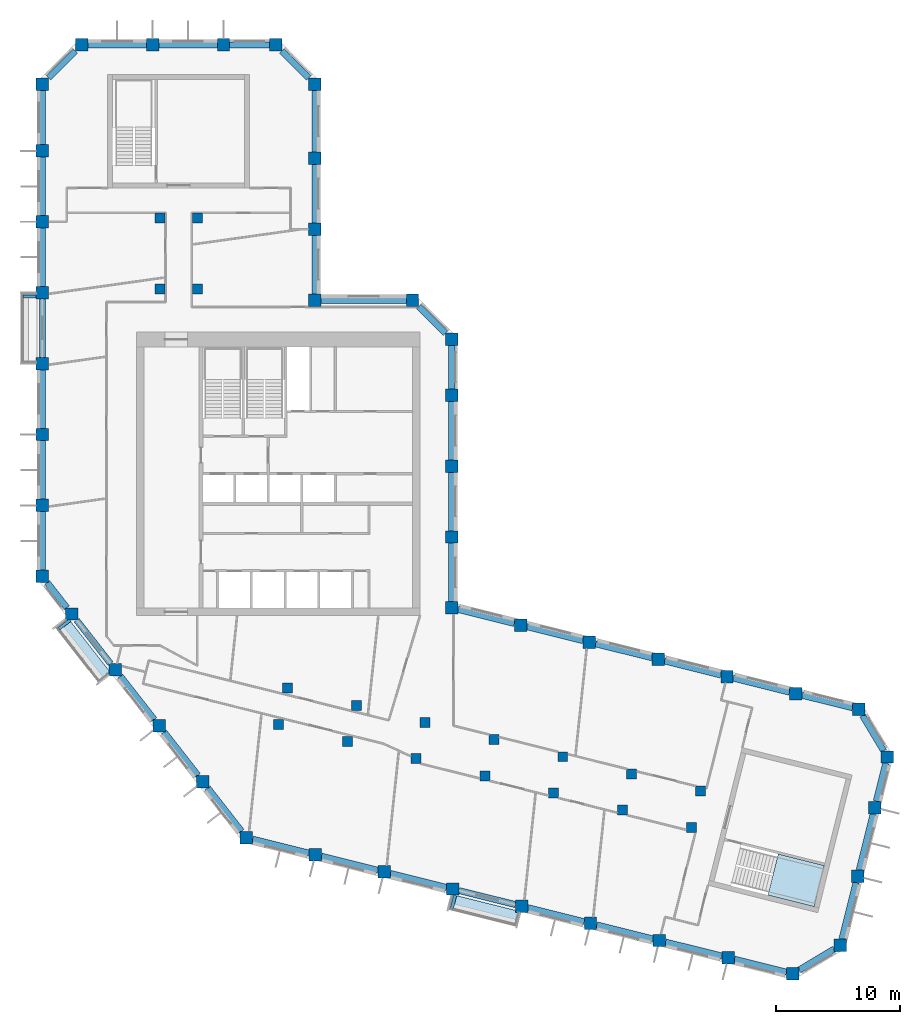
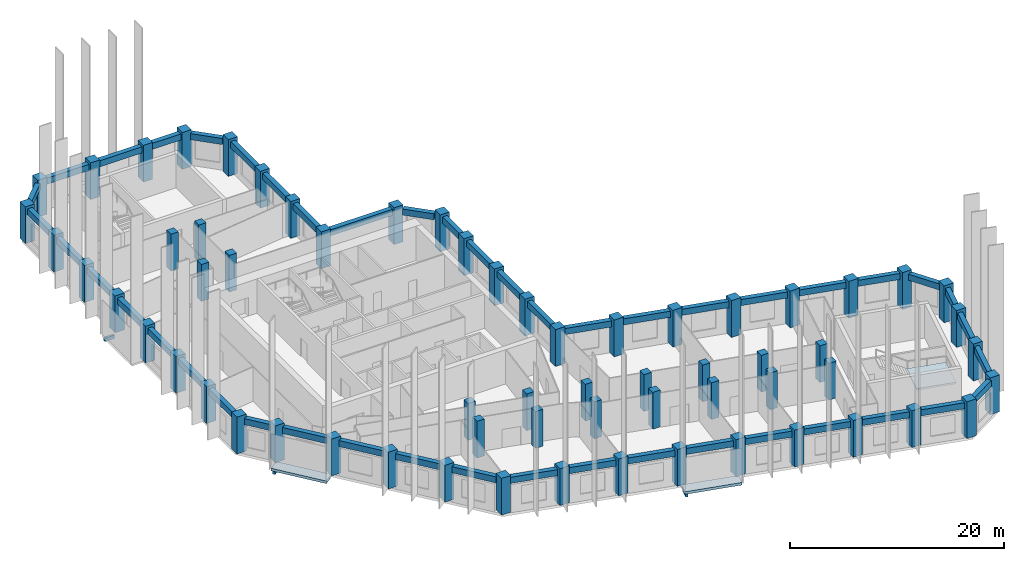
# One storey, part 1 of 9: 63 columns, 48 beams, 3 slabs, 1 element without a shape of its own.
"""IFC4 building model written with IfcOpenShell, lengths in metres."""

from ifc_helpers import new_model, si_unit, direction, frame, origin, origin_2d, place, context, subcontext, project, spatial, polyline, rectangle, outline, extrude, material, layer, layer_set, material_profile, profile_set, type_object, element, aggregate, save


model = new_model("IFC4")

# Units and contexts
model_context = context("Model", 3, precision=1e-05, world=origin(), true_north=direction((0.0, 1.0)))
body_context = subcontext(model_context, "Body", "Model", "MODEL_VIEW")
ifc_project = project(units=[si_unit("LENGTHUNIT", "METRE"), si_unit("AREAUNIT", "SQUARE_METRE"), si_unit("VOLUMEUNIT", "CUBIC_METRE"), si_unit("PLANEANGLEUNIT", "RADIAN"), si_unit("MASSUNIT", "GRAM", prefix="KILO")], contexts=[model_context])

# Site, building, storey
site_placement = place(None, origin())
site = spatial("IfcSite", under=ifc_project, at=site_placement, CompositionType="ELEMENT")
building_placement = place(site_placement, origin())
building = spatial("IfcBuilding", under=site, at=building_placement, Name="Meshkara Civic Tower", CompositionType="ELEMENT")
storey_placement = place(building_placement, frame((0.0, 0.0, 323.39990234375)))
storey = spatial("IfcBuildingStorey", under=building, at=storey_placement, Name="L74", CompositionType="ELEMENT", Elevation=323.39990234375)

# Columns
ifc_material_1 = material(Name="Concrete C60", Category="concrete")
ifc_material_profile_1 = material_profile(ifc_material_1, rectangle(XDim=0.800048828125, YDim=0.800048828125, at=origin_2d()))
ifc_profile_set_1 = profile_set([ifc_material_profile_1], Name="Concrete C60")
column_type_1 = type_object("IfcColumnType", Name="Interior column RC 800x800 C60", PredefinedType="COLUMN", material=ifc_profile_set_1)
for number, where, z_axis, x_axis, name in (
    (1, (9.89990234375, 40.35009765625, 0.0), (0.0, 0.0, 1.0), (1.0, 0.0, 0.0), "Column SA1-04 L74"),
    (2, (9.89990234375, 46.050048828125, 0.0), (0.0, 0.0, 1.0), (1.0, 0.0, 0.0), "Column SA1-05 L74"),
    (3, (12.89990234375, 40.35009765625, 0.0), (0.0, 0.0, 1.0), (1.0, 0.0, 0.0), "Column SA2-04 L74"),
    (4, (12.89990234375, 46.050048828125, 0.0), (0.0, 0.0, 1.0), (1.0, 0.0, 0.0), "Column SA2-05 L74"),
    (5, (19.424072265625, 5.360107421875, 0.0), (0.0, 0.0, 1.0), (1.0, 0.0, 0.0), "Column SB1-00 L74"),
    (6, (24.9541015625, 3.98095703125, 0.0), (0.0, 0.0, 1.0), (1.0, 0.0, 0.0), "Column SB1-01 L74"),
    (7, (30.485107421875, 2.60205078125, 0.0), (0.0, 0.0, 1.0), (1.0, 0.0, 0.0), "Column SB1-02 L74"),
    (8, (36.01611328125, 1.222900390625, 0.0), (0.0, 0.0, 1.0), (1.0, 0.0, 0.0), "Column SB1-03 L74"),
    (9, (41.5458984375, -0.156005859375, 0.0), (0.0, 0.0, 1.0), (1.0, 0.0, 0.0), "Column SB1-04 L74"),
    (10, (47.076904296875, -1.534912109375, 0.0), (0.0, 0.0, 1.0), (1.0, 0.0, 0.0), "Column SB1-05 L74"),
    (11, (52.60791015625, -2.9140625, 0.0), (0.0, 0.0, 1.0), (1.0, 0.0, 0.0), "Column SB1-06 L74"),
    (12, (20.14892578125, 8.27099609375, 0.0), (0.0, 0.0, 1.0), (1.0, 0.0, 0.0), "Column SB2-00 L74"),
    (13, (25.679931640625, 6.89208984375, 0.0), (0.0, 0.0, 1.0), (1.0, 0.0, 0.0), "Column SB2-01 L74"),
    (14, (31.2109375, 5.512939453125, 0.0), (0.0, 0.0, 1.0), (1.0, 0.0, 0.0), "Column SB2-02 L74"),
    (15, (36.741943359375, 4.134033203125, 0.0), (0.0, 0.0, 1.0), (1.0, 0.0, 0.0), "Column SB2-03 L74"),
    (16, (42.27197265625, 2.7548828125, 0.0), (0.0, 0.0, 1.0), (1.0, 0.0, 0.0), "Column SB2-04 L74"),
    (17, (47.802978515625, 1.3759765625, 0.0), (0.0, 0.0, 1.0), (1.0, 0.0, 0.0), "Column SB2-05 L74"),
    (18, (53.333984375, -0.0029296875, 0.0), (0.0, 0.0, 1.0), (1.0, 0.0, 0.0), "Column SB2-06 L74"),
):
    element("IfcColumn", number, at=place(storey_placement, frame(where, z_axis=z_axis, x_axis=x_axis)), inside=storey, type_object=column_type_1, Name=name, PredefinedType="COLUMN", context=body_context, shape_type="SweptSolid", body=[
        extrude(rectangle(XDim=0.800048828125, YDim=0.800048828125, at=origin_2d()), origin(), (0.0, 0.0, 1.0), 4.2001953125),
    ])
ifc_material_2 = material(Name="Concrete C60", Category="concrete")
ifc_material_profile_2 = material_profile(ifc_material_2, rectangle(XDim=1.0, YDim=1.0, at=origin_2d()))
ifc_profile_set_2 = profile_set([ifc_material_profile_2], Name="Concrete C60")
column_type_2 = type_object("IfcColumnType", Name="Perimeter column RC 1000x1000 C60", PredefinedType="COLUMN", material=ifc_profile_set_2)
for number, where, z_axis, x_axis, name in (
    (19, (33.35009765625, 14.718994140625, 0.0), (0.0, 0.0, 1.0), (1.0, 0.0, 0.0), "Column HE00 L74"),
    (20, (33.35009765625, 20.4189453125, 0.0), (0.0, 0.0, 1.0), (1.0, 0.0, 0.0), "Column HE01 L74"),
    (21, (33.35009765625, 26.118896484375, 0.0), (0.0, 0.0, 1.0), (1.0, 0.0, 0.0), "Column HE02 L74"),
    (22, (33.35009765625, 31.819091796875, 0.0), (0.0, 0.0, 1.0), (1.0, 0.0, 0.0), "Column HE03 L74"),
    (23, (33.35009765625, 36.2939453125, 0.0), (0.0, 0.0, 1.0), (1.0, 0.0, 0.0), "Column HEE L74"),
    (24, (30.194091796875, 39.449951171875, 0.0), (0.0, 0.0, 1.0), (1.0, 0.0, 0.0), "Column HCeE L74"),
    (25, (22.35009765625, 39.449951171875, 0.0), (0.0, 0.0, 1.0), (1.0, 0.0, 0.0), "Column HN00 L74"),
    (26, (22.35009765625, 45.14990234375, 0.0), (0.0, 0.0, 1.0), (1.0, 0.0, 0.0), "Column AE01 L74"),
    (27, (22.35009765625, 50.85009765625, 0.0), (0.0, 0.0, 1.0), (1.0, 0.0, 0.0), "Column AE02 L74"),
    (28, (22.35009765625, 56.81396484375, 0.0), (0.0, 0.0, 1.0), (1.0, 0.0, 0.0), "Column AEEP4 L74"),
    (29, (19.194091796875, 59.969970703125, 0.0), (0.0, 0.0, 1.0), (1.0, 0.0, 0.0), "Column ATiEP4 L74"),
    (30, (3.60595703125, 59.969970703125, 0.0), (0.0, 0.0, 1.0), (1.0, 0.0, 0.0), "Column AT00-P4 L74"),
    (31, (9.305908203125, 59.969970703125, 0.0), (0.0, 0.0, 1.0), (1.0, 0.0, 0.0), "Column AT01-P4 L74"),
    (32, (15.006103515625, 59.969970703125, 0.0), (0.0, 0.0, 1.0), (1.0, 0.0, 0.0), "Column AT02-P4 L74"),
    (33, (0.449951171875, 56.81396484375, 0.0), (0.0, 0.0, 1.0), (1.0, 0.0, 0.0), "Column ATo00-P4 L74"),
    (34, (0.449951171875, 17.2548828125, 0.0), (0.0, 0.0, 1.0), (1.0, 0.0, 0.0), "Column AW00 L74"),
    (35, (0.449951171875, 22.955078125, 0.0), (0.0, 0.0, 1.0), (1.0, 0.0, 0.0), "Column AW01 L74"),
    (36, (0.449951171875, 28.655029296875, 0.0), (0.0, 0.0, 1.0), (1.0, 0.0, 0.0), "Column AW02 L74"),
    (37, (0.449951171875, 34.35498046875, 0.0), (0.0, 0.0, 1.0), (1.0, 0.0, 0.0), "Column AW03 L74"),
    (38, (0.449951171875, 40.054931640625, 0.0), (0.0, 0.0, 1.0), (1.0, 0.0, 0.0), "Column AW04 L74"),
    (39, (0.449951171875, 45.7548828125, 0.0), (0.0, 0.0, 1.0), (1.0, 0.0, 0.0), "Column AW05 L74"),
    (40, (0.449951171875, 51.455078125, 0.0), (0.0, 0.0, 1.0), (1.0, 0.0, 0.0), "Column AW06 L74"),
    (41, (16.85107421875, -3.738037109375, 0.0), (0.0, 0.0, 1.0), (1.0, 0.0, 0.0), "Column BOW00 L74"),
    (42, (13.342041015625, 0.75390625, 0.0), (0.0, 0.0, 1.0), (1.0, 0.0, 0.0), "Column BOW01 L74"),
    (43, (9.8330078125, 5.2451171875, 0.0), (0.0, 0.0, 1.0), (1.0, 0.0, 0.0), "Column BOW02 L74"),
    (44, (6.322998046875, 9.737060546875, 0.0), (0.0, 0.0, 1.0), (1.0, 0.0, 0.0), "Column BOW03 L74"),
    (45, (2.81396484375, 14.22900390625, 0.0), (0.0, 0.0, 1.0), (1.0, 0.0, 0.0), "Column BOW04 L74"),
    (46, (22.382080078125, -5.116943359375, 0.0), (0.0, 0.0, 1.0), (1.0, 0.0, 0.0), "Column BS01 L74"),
    (47, (27.912109375, -6.49609375, 0.0), (0.0, 0.0, 1.0), (1.0, 0.0, 0.0), "Column BS02 L74"),
    (48, (33.443115234375, -7.875, 0.0), (0.0, 0.0, 1.0), (1.0, 0.0, 0.0), "Column BS03 L74"),
    (49, (38.97412109375, -9.25390625, 0.0), (0.0, 0.0, 1.0), (1.0, 0.0, 0.0), "Column BS04 L74"),
    (50, (44.50390625, -10.633056640625, 0.0), (0.0, 0.0, 1.0), (1.0, 0.0, 0.0), "Column BS05-P4 L74"),
    (51, (50.034912109375, -12.011962890625, 0.0), (0.0, 0.0, 1.0), (1.0, 0.0, 0.0), "Column BS06-P4 L74"),
    (52, (55.56591796875, -13.389892578125, 0.0), (0.0, 0.0, 1.0), (1.0, 0.0, 0.0), "Column BS07 L74"),
    (53, (60.76611328125, -14.68701171875, 0.0), (0.0, 0.0, 1.0), (1.0, 0.0, 0.0), "Column BSEP4 L74"),
    (54, (64.591064453125, -12.386962890625, 0.0), (0.0, 0.0, 1.0), (1.0, 0.0, 0.0), "Column BToEP4 L74"),
    (55, (65.969970703125, -6.85595703125, 0.0), (0.0, 0.0, 1.0), (1.0, 0.0, 0.0), "Column BT01-P4 L74"),
    (56, (67.34912109375, -1.325927734375, 0.0), (0.0, 0.0, 1.0), (1.0, 0.0, 0.0), "Column BT02-P4 L74"),
    (57, (68.362060546875, 2.736083984375, 0.0), (0.0, 0.0, 1.0), (1.0, 0.0, 0.0), "Column BTEP4 L74"),
    (58, (66.06298828125, 6.56201171875, 0.0), (0.0, 0.0, 1.0), (1.0, 0.0, 0.0), "Column BTi00-P4 L74"),
    (59, (38.881103515625, 13.340087890625, 0.0), (0.0, 0.0, 1.0), (1.0, 0.0, 0.0), "Column BN01 L74"),
    (60, (44.410888671875, 11.9609375, 0.0), (0.0, 0.0, 1.0), (1.0, 0.0, 0.0), "Column BN02 L74"),
    (61, (49.94189453125, 10.58203125, 0.0), (0.0, 0.0, 1.0), (1.0, 0.0, 0.0), "Column BN03 L74"),
    (62, (55.472900390625, 9.202880859375, 0.0), (0.0, 0.0, 1.0), (1.0, 0.0, 0.0), "Column BN04 L74"),
    (63, (61.0029296875, 7.823974609375, 0.0), (0.0, 0.0, 1.0), (1.0, 0.0, 0.0), "Column BN05 L74"),
):
    element("IfcColumn", number, at=place(storey_placement, frame(where, z_axis=z_axis, x_axis=x_axis)), inside=storey, type_object=column_type_2, Name=name, PredefinedType="COLUMN", context=body_context, shape_type="SweptSolid", body=[
        extrude(rectangle(XDim=1.0, YDim=1.0, at=origin_2d()), origin(), (0.0, 0.0, 1.0), 4.2001953125),
    ])

# Beams
ifc_material_3 = material(Name="Concrete C50", Category="concrete")
ifc_material_profile_3 = material_profile(ifc_material_3, rectangle(XDim=0.25, YDim=0.39990234375, at=origin_2d()))
ifc_profile_set_3 = profile_set([ifc_material_profile_3], Name="Concrete C50")
beam_type_1 = type_object("IfcBeamType", Name="Balcony bracket beam RC 250x400 C50", PredefinedType="BEAM", material=ifc_profile_set_3)
beam_1_placement = place(storey_placement, frame((-0.044921875, 39.7548828125, -0.5), z_axis=(-1.0, 0.0, 0.0), x_axis=(0.0, -1.0, 0.0)))
element("IfcBeam", 64, at=beam_1_placement, inside=storey, type_object=beam_type_1, Name="Balcony bracket beam", PredefinedType="BEAM", context=body_context, shape_type="SweptSolid", body=[
    extrude(rectangle(XDim=0.25, YDim=0.39990234375, at=origin_2d()), origin(), (0.0, 0.0, 1.0), 1.05517578125),
])
beam_2_placement = place(storey_placement, frame((2.6650390625, 13.73193359375, -0.5), z_axis=(-0.787961962446, -0.615723920064, 0.0), x_axis=(0.615723920064, -0.787961962446, 0.0)))
element("IfcBeam", 65, at=beam_2_placement, inside=storey, type_object=beam_type_1, Name="Balcony bracket beam", PredefinedType="BEAM", context=body_context, shape_type="SweptSolid", body=[
    extrude(rectangle(XDim=0.25, YDim=0.39990234375, at=origin_2d()), origin(), (0.0, 0.0, 1.0), 1.126953125),
])
beam_3_placement = place(storey_placement, frame((33.62890625, -8.3701171875, -0.5), z_axis=(-0.24238092718, -0.970181161505, 0.0), x_axis=(0.970181161505, -0.24238092718, 0.0)))
element("IfcBeam", 66, at=beam_3_placement, inside=storey, type_object=beam_type_1, Name="Balcony bracket beam", PredefinedType="BEAM", context=body_context, shape_type="SweptSolid", body=[
    extrude(rectangle(XDim=0.25, YDim=0.39990234375, at=origin_2d()), origin(), (0.0, 0.0, 1.0), 1.114013671875),
])
ifc_material_4 = material(Name="Concrete C50", Category="concrete")
ifc_material_profile_4 = material_profile(ifc_material_4, rectangle(XDim=0.5, YDim=0.699951171875, at=origin_2d()))
ifc_profile_set_4 = profile_set([ifc_material_profile_4], Name="Concrete C50")
beam_type_2 = type_object("IfcBeamType", Name="Spandrel beam RC 500x700 C50", PredefinedType="BEAM", material=ifc_profile_set_4)
beam_4_placement = place(storey_placement, frame((60.5078125, 7.947509765625, 3.550048828125), z_axis=(-0.970286590806, 0.241958533023, 0.0), x_axis=(-0.241958533023, -0.970286590806, 0.0)))
element("IfcBeam", 67, at=beam_4_placement, inside=storey, type_object=beam_type_2, Name="Spandrel beam BN04-BN05", PredefinedType="BEAM", context=body_context, shape_type="SweptSolid", body=[
    extrude(rectangle(XDim=0.5, YDim=0.699951171875, at=origin_2d()), origin(), (0.0, 0.0, 1.0), 4.6787109375),
])
beam_5_placement = place(storey_placement, frame((54.977783203125, 9.326416015625, 3.550048828125), z_axis=(-0.970298806378, 0.241909541651, 0.0), x_axis=(-0.241909541651, -0.970298806378, 0.0)))
element("IfcBeam", 68, at=beam_5_placement, inside=storey, type_object=beam_type_2, Name="Spandrel beam BN03-BN04", PredefinedType="BEAM", context=body_context, shape_type="SweptSolid", body=[
    extrude(rectangle(XDim=0.5, YDim=0.699951171875, at=origin_2d()), origin(), (0.0, 0.0, 1.0), 4.6796875),
])
beam_6_placement = place(storey_placement, frame((49.447021484375, 10.70556640625, 3.550048828125), z_axis=(-0.970314102262, 0.241848181618, 0.0), x_axis=(-0.241848181618, -0.970314102262, 0.0)))
element("IfcBeam", 69, at=beam_6_placement, inside=storey, type_object=beam_type_2, Name="Spandrel beam BN02-BN03", PredefinedType="BEAM", context=body_context, shape_type="SweptSolid", body=[
    extrude(rectangle(XDim=0.5, YDim=0.699951171875, at=origin_2d()), origin(), (0.0, 0.0, 1.0), 4.679931640625),
])
beam_7_placement = place(storey_placement, frame((43.916015625, 12.08447265625, 3.550048828125), z_axis=(-0.970286590806, 0.241958533023, 0.0), x_axis=(-0.241958533023, -0.970286590806, 0.0)))
element("IfcBeam", 70, at=beam_7_placement, inside=storey, type_object=beam_type_2, Name="Spandrel beam BN01-BN02", PredefinedType="BEAM", context=body_context, shape_type="SweptSolid", body=[
    extrude(rectangle(XDim=0.5, YDim=0.699951171875, at=origin_2d()), origin(), (0.0, 0.0, 1.0), 4.6787109375),
])
beam_8_placement = place(storey_placement, frame((38.385986328125, 13.46337890625, 3.550048828125), z_axis=(-0.970298806378, 0.241909541651, 0.0), x_axis=(-0.241909541651, -0.970298806378, 0.0)))
element("IfcBeam", 71, at=beam_8_placement, inside=storey, type_object=beam_type_2, Name="Spandrel beam BN01-HE00", PredefinedType="BEAM", context=body_context, shape_type="SweptSolid", body=[
    extrude(rectangle(XDim=0.5, YDim=0.699951171875, at=origin_2d()), origin(), (0.0, 0.0, 1.0), 4.6796875),
])
for number, where, z_axis, x_axis, name in (
    (72, (33.35009765625, 15.214111328125, 3.550048828125), (0.0, 1.0, 0.0), (-1.0, 0.0, 0.0), "Spandrel beam HE00-HE01"),
    (73, (33.35009765625, 20.9140625, 3.550048828125), (0.0, 1.0, 0.0), (-1.0, 0.0, 0.0), "Spandrel beam HE01-HE02"),
    (74, (33.35009765625, 26.614013671875, 3.550048828125), (0.0, 1.0, 0.0), (-1.0, 0.0, 0.0), "Spandrel beam HE02-HE03"),
):
    element("IfcBeam", number, at=place(storey_placement, frame(where, z_axis=z_axis, x_axis=x_axis)), inside=storey, type_object=beam_type_2, Name=name, PredefinedType="BEAM", context=body_context, shape_type="SweptSolid", body=[
        extrude(rectangle(XDim=0.5, YDim=0.699951171875, at=origin_2d()), origin(), (0.0, 0.0, 1.0), 4.7099609375),
    ])
beam_9_placement = place(storey_placement, frame((33.35009765625, 32.31396484375, 3.550048828125), z_axis=(0.0, 1.0, 0.0), x_axis=(-1.0, 0.0, 0.0)))
element("IfcBeam", 75, at=beam_9_placement, inside=storey, type_object=beam_type_2, Name="Spandrel beam HE03-HEE", PredefinedType="BEAM", context=body_context, shape_type="SweptSolid", body=[
    extrude(rectangle(XDim=0.5, YDim=0.699951171875, at=origin_2d()), origin(), (0.0, 0.0, 1.0), 3.485107421875),
])
beam_10_placement = place(storey_placement, frame((32.853515625, 36.79052734375, 3.550048828125), z_axis=(-0.707106781187, 0.707106781187, 0.0), x_axis=(-0.707106781187, -0.707106781187, 0.0)))
element("IfcBeam", 76, at=beam_10_placement, inside=storey, type_object=beam_type_2, Name="Spandrel beam HCeE-HEE", PredefinedType="BEAM", context=body_context, shape_type="SweptSolid", body=[
    extrude(rectangle(XDim=0.5, YDim=0.699951171875, at=origin_2d()), origin(), (0.0, 0.0, 1.0), 3.05908203125),
])
beam_11_placement = place(storey_placement, frame((29.698974609375, 39.449951171875, 3.550048828125), z_axis=(-1.0, 0.0, 0.0), x_axis=(0.0, -1.0, 0.0)))
element("IfcBeam", 77, at=beam_11_placement, inside=storey, type_object=beam_type_2, Name="Spandrel beam HCeE-HN00", PredefinedType="BEAM", context=body_context, shape_type="SweptSolid", body=[
    extrude(rectangle(XDim=0.5, YDim=0.699951171875, at=origin_2d()), origin(), (0.0, 0.0, 1.0), 6.85400390625),
])
for number, where, z_axis, x_axis, name in (
    (78, (22.35009765625, 39.945068359375, 3.550048828125), (0.0, 1.0, 0.0), (-1.0, 0.0, 0.0), "Spandrel beam AE01-HN00"),
    (79, (22.35009765625, 45.64501953125, 3.550048828125), (0.0, 1.0, 0.0), (-1.0, 0.0, 0.0), "Spandrel beam AE01-AE02"),
):
    element("IfcBeam", number, at=place(storey_placement, frame(where, z_axis=z_axis, x_axis=x_axis)), inside=storey, type_object=beam_type_2, Name=name, PredefinedType="BEAM", context=body_context, shape_type="SweptSolid", body=[
        extrude(rectangle(XDim=0.5, YDim=0.699951171875, at=origin_2d()), origin(), (0.0, 0.0, 1.0), 4.7099609375),
    ])
beam_12_placement = place(storey_placement, frame((22.35009765625, 51.344970703125, 3.550048828125), z_axis=(0.0, 1.0, 0.0), x_axis=(-1.0, 0.0, 0.0)))
element("IfcBeam", 80, at=beam_12_placement, inside=storey, type_object=beam_type_2, Name="Spandrel beam AE02-AEEP4", PredefinedType="BEAM", context=body_context, shape_type="SweptSolid", body=[
    extrude(rectangle(XDim=0.5, YDim=0.699951171875, at=origin_2d()), origin(), (0.0, 0.0, 1.0), 4.97412109375),
])
beam_13_placement = place(storey_placement, frame((21.853515625, 57.310546875, 3.550048828125), z_axis=(-0.707146686758, 0.707066873363, 0.0), x_axis=(-0.707066873363, -0.707146686758, 0.0)))
element("IfcBeam", 81, at=beam_13_placement, inside=storey, type_object=beam_type_2, Name="Spandrel beam AEEP4-ATiEP4", PredefinedType="BEAM", context=body_context, shape_type="SweptSolid", body=[
    extrude(rectangle(XDim=0.5, YDim=0.699951171875, at=origin_2d()), origin(), (0.0, 0.0, 1.0), 3.058837890625),
])
beam_14_placement = place(storey_placement, frame((18.698974609375, 59.969970703125, 3.550048828125), z_axis=(-1.0, 0.0, 0.0), x_axis=(0.0, -1.0, 0.0)))
element("IfcBeam", 82, at=beam_14_placement, inside=storey, type_object=beam_type_2, Name="Spandrel beam AT02-P4-ATiEP4", PredefinedType="BEAM", context=body_context, shape_type="SweptSolid", body=[
    extrude(rectangle(XDim=0.5, YDim=0.699951171875, at=origin_2d()), origin(), (0.0, 0.0, 1.0), 3.197998046875),
])
for number, where, z_axis, x_axis, name in (
    (83, (14.510986328125, 59.969970703125, 3.550048828125), (-1.0, 0.0, 0.0), (0.0, -1.0, 0.0), "Spandrel beam AT01-P4-AT02-P4"),
    (84, (8.81103515625, 59.969970703125, 3.550048828125), (-1.0, 0.0, 0.0), (0.0, -1.0, 0.0), "Spandrel beam AT00-P4-AT01-P4"),
):
    element("IfcBeam", number, at=place(storey_placement, frame(where, z_axis=z_axis, x_axis=x_axis)), inside=storey, type_object=beam_type_2, Name=name, PredefinedType="BEAM", context=body_context, shape_type="SweptSolid", body=[
        extrude(rectangle(XDim=0.5, YDim=0.699951171875, at=origin_2d()), origin(), (0.0, 0.0, 1.0), 4.7099609375),
    ])
beam_15_placement = place(storey_placement, frame((3.109619140625, 59.473388671875, 3.550048828125), z_axis=(-0.707146686758, -0.707066873363, 0.0), x_axis=(0.707066873363, -0.707146686758, 0.0)))
element("IfcBeam", 85, at=beam_15_placement, inside=storey, type_object=beam_type_2, Name="Spandrel beam AT00-P4-ATo00-P4", PredefinedType="BEAM", context=body_context, shape_type="SweptSolid", body=[
    extrude(rectangle(XDim=0.5, YDim=0.699951171875, at=origin_2d()), origin(), (0.0, 0.0, 1.0), 3.058837890625),
])
beam_16_placement = place(storey_placement, frame((0.449951171875, 56.319091796875, 3.550048828125), z_axis=(0.0, -1.0, 0.0), x_axis=(1.0, 0.0, 0.0)))
element("IfcBeam", 86, at=beam_16_placement, inside=storey, type_object=beam_type_2, Name="Spandrel beam ATo00-P4-AW06", PredefinedType="BEAM", context=body_context, shape_type="SweptSolid", body=[
    extrude(rectangle(XDim=0.5, YDim=0.699951171875, at=origin_2d()), origin(), (0.0, 0.0, 1.0), 4.369140625),
])
for number, where, z_axis, x_axis, name in (
    (87, (0.449951171875, 50.9599609375, 3.550048828125), (0.0, -1.0, 0.0), (1.0, 0.0, 0.0), "Spandrel beam AW05-AW06"),
    (88, (0.449951171875, 45.260009765625, 3.550048828125), (0.0, -1.0, 0.0), (1.0, 0.0, 0.0), "Spandrel beam AW04-AW05"),
    (89, (0.449951171875, 39.56005859375, 3.550048828125), (0.0, -1.0, 0.0), (1.0, 0.0, 0.0), "Spandrel beam AW03-AW04"),
):
    element("IfcBeam", number, at=place(storey_placement, frame(where, z_axis=z_axis, x_axis=x_axis)), inside=storey, type_object=beam_type_2, Name=name, PredefinedType="BEAM", context=body_context, shape_type="SweptSolid", body=[
        extrude(rectangle(XDim=0.5, YDim=0.699951171875, at=origin_2d()), origin(), (0.0, 0.0, 1.0), 4.7099609375),
    ])
beam_17_placement = place(storey_placement, frame((0.449951171875, 33.860107421875, 3.550048828125), z_axis=(0.0, -1.0, 0.0), x_axis=(1.0, 0.0, 0.0)))
element("IfcBeam", 90, at=beam_17_placement, inside=storey, type_object=beam_type_2, Name="Spandrel beam AW02-AW03", PredefinedType="BEAM", context=body_context, shape_type="SweptSolid", body=[
    extrude(rectangle(XDim=0.5, YDim=0.699951171875, at=origin_2d()), origin(), (0.0, 0.0, 1.0), 4.710205078125),
])
for number, where, z_axis, x_axis, name in (
    (91, (0.449951171875, 28.159912109375, 3.550048828125), (0.0, -1.0, 0.0), (1.0, 0.0, 0.0), "Spandrel beam AW01-AW02"),
    (92, (0.449951171875, 22.4599609375, 3.550048828125), (0.0, -1.0, 0.0), (1.0, 0.0, 0.0), "Spandrel beam AW00-AW01"),
):
    element("IfcBeam", number, at=place(storey_placement, frame(where, z_axis=z_axis, x_axis=x_axis)), inside=storey, type_object=beam_type_2, Name=name, PredefinedType="BEAM", context=body_context, shape_type="SweptSolid", body=[
        extrude(rectangle(XDim=0.5, YDim=0.699951171875, at=origin_2d()), origin(), (0.0, 0.0, 1.0), 4.7099609375),
    ])
beam_18_placement = place(storey_placement, frame((0.83740234375, 16.7587890625, 3.550048828125), z_axis=(0.615713794912, -0.787969874269, 0.0), x_axis=(0.787969874269, 0.615713794912, 0.0)))
element("IfcBeam", 93, at=beam_18_placement, inside=storey, type_object=beam_type_2, Name="Spandrel beam AW00-BOW04", PredefinedType="BEAM", context=body_context, shape_type="SweptSolid", body=[
    extrude(rectangle(XDim=0.5, YDim=0.699951171875, at=origin_2d()), origin(), (0.0, 0.0, 1.0), 2.580810546875),
])
beam_19_placement = place(storey_placement, frame((3.201416015625, 13.73291015625, 3.550048828125), z_axis=(0.615636574491, -0.788030207637, 0.0), x_axis=(0.788030207637, 0.615636574491, 0.0)))
element("IfcBeam", 94, at=beam_19_placement, inside=storey, type_object=beam_type_2, Name="Spandrel beam BOW03-BOW04", PredefinedType="BEAM", context=body_context, shape_type="SweptSolid", body=[
    extrude(rectangle(XDim=0.5, YDim=0.699951171875, at=origin_2d()), origin(), (0.0, 0.0, 1.0), 4.441162109375),
])
beam_20_placement = place(storey_placement, frame((6.710693359375, 9.240966796875, 3.550048828125), z_axis=(0.615704842432, -0.787976869588, 0.0), x_axis=(0.787976869588, 0.615704842432, 0.0)))
element("IfcBeam", 95, at=beam_20_placement, inside=storey, type_object=beam_type_2, Name="Spandrel beam BOW02-BOW03", PredefinedType="BEAM", context=body_context, shape_type="SweptSolid", body=[
    extrude(rectangle(XDim=0.5, YDim=0.699951171875, at=origin_2d()), origin(), (0.0, 0.0, 1.0), 4.44140625),
])
beam_21_placement = place(storey_placement, frame((10.220703125, 4.748779296875, 3.550048828125), z_axis=(0.615674985547, -0.788000198078, 0.0), x_axis=(0.788000198078, 0.615674985547, 0.0)))
element("IfcBeam", 96, at=beam_21_placement, inside=storey, type_object=beam_type_2, Name="Spandrel beam BOW01-BOW02", PredefinedType="BEAM", context=body_context, shape_type="SweptSolid", body=[
    extrude(rectangle(XDim=0.5, YDim=0.699951171875, at=origin_2d()), origin(), (0.0, 0.0, 1.0), 4.440185546875),
])
beam_22_placement = place(storey_placement, frame((13.7294921875, 0.2578125, 3.550048828125), z_axis=(0.615602435322, -0.788056877151, 0.0), x_axis=(0.788056877151, 0.615602435322, 0.0)))
element("IfcBeam", 97, at=beam_22_placement, inside=storey, type_object=beam_type_2, Name="Spandrel beam BOW00-BOW01", PredefinedType="BEAM", context=body_context, shape_type="SweptSolid", body=[
    extrude(rectangle(XDim=0.5, YDim=0.699951171875, at=origin_2d()), origin(), (0.0, 0.0, 1.0), 4.44091796875),
])
beam_23_placement = place(storey_placement, frame((17.34619140625, -3.861572265625, 3.550048828125), z_axis=(0.970311050729, -0.24186042428, 0.0), x_axis=(0.24186042428, 0.970311050729, 0.0)))
element("IfcBeam", 98, at=beam_23_placement, inside=storey, type_object=beam_type_2, Name="Spandrel beam BOW00-BS01", PredefinedType="BEAM", context=body_context, shape_type="SweptSolid", body=[
    extrude(rectangle(XDim=0.5, YDim=0.699951171875, at=origin_2d()), origin(), (0.0, 0.0, 1.0), 4.6796875),
])
beam_24_placement = place(storey_placement, frame((22.877197265625, -5.240478515625, 3.550048828125), z_axis=(0.970286590806, -0.241958533023, 0.0), x_axis=(0.241958533023, 0.970286590806, 0.0)))
element("IfcBeam", 99, at=beam_24_placement, inside=storey, type_object=beam_type_2, Name="Spandrel beam BS01-BS02", PredefinedType="BEAM", context=body_context, shape_type="SweptSolid", body=[
    extrude(rectangle(XDim=0.5, YDim=0.699951171875, at=origin_2d()), origin(), (0.0, 0.0, 1.0), 4.6787109375),
])
for number, where, z_axis, x_axis, name in (
    (100, (28.406982421875, -6.619384765625, 3.550048828125), (0.970301859111, -0.241897296812, 0.0), (0.241897296812, 0.970301859111, 0.0), "Spandrel beam BS02-BS03"),
    (101, (33.93798828125, -7.99853515625, 3.550048828125), (0.970301859111, -0.241897296812, 0.0), (0.241897296812, 0.970301859111, 0.0), "Spandrel beam BS03-BS04"),
):
    element("IfcBeam", number, at=place(storey_placement, frame(where, z_axis=z_axis, x_axis=x_axis)), inside=storey, type_object=beam_type_2, Name=name, PredefinedType="BEAM", context=body_context, shape_type="SweptSolid", body=[
        extrude(rectangle(XDim=0.5, YDim=0.699951171875, at=origin_2d()), origin(), (0.0, 0.0, 1.0), 4.679931640625),
    ])
beam_25_placement = place(storey_placement, frame((39.468994140625, -9.37744140625, 3.550048828125), z_axis=(0.970286590806, -0.241958533023, 0.0), x_axis=(0.241958533023, 0.970286590806, 0.0)))
element("IfcBeam", 102, at=beam_25_placement, inside=storey, type_object=beam_type_2, Name="Spandrel beam BS04-BS05-P4", PredefinedType="BEAM", context=body_context, shape_type="SweptSolid", body=[
    extrude(rectangle(XDim=0.5, YDim=0.699951171875, at=origin_2d()), origin(), (0.0, 0.0, 1.0), 4.6787109375),
])
beam_26_placement = place(storey_placement, frame((44.9990234375, -10.756591796875, 3.550048828125), z_axis=(0.970311050729, -0.24186042428, 0.0), x_axis=(0.24186042428, 0.970311050729, 0.0)))
element("IfcBeam", 103, at=beam_26_placement, inside=storey, type_object=beam_type_2, Name="Spandrel beam BS05-P4-BS06-P4", PredefinedType="BEAM", context=body_context, shape_type="SweptSolid", body=[
    extrude(rectangle(XDim=0.5, YDim=0.699951171875, at=origin_2d()), origin(), (0.0, 0.0, 1.0), 4.6796875),
])
beam_27_placement = place(storey_placement, frame((50.530029296875, -12.135498046875, 3.550048828125), z_axis=(0.970347770718, -0.241713061011, 0.0), x_axis=(0.241713061011, 0.970347770718, 0.0)))
element("IfcBeam", 104, at=beam_27_placement, inside=storey, type_object=beam_type_2, Name="Spandrel beam BS06-P4-BS07", PredefinedType="BEAM", context=body_context, shape_type="SweptSolid", body=[
    extrude(rectangle(XDim=0.5, YDim=0.699951171875, at=origin_2d()), origin(), (0.0, 0.0, 1.0), 4.679443359375),
])
beam_28_placement = place(storey_placement, frame((56.06103515625, -13.513427734375, 3.550048828125), z_axis=(0.970274749447, -0.242006013533, 0.0), x_axis=(0.242006013533, 0.970274749447, 0.0)))
element("IfcBeam", 105, at=beam_28_placement, inside=storey, type_object=beam_type_2, Name="Spandrel beam BS07-BSEP4", PredefinedType="BEAM", context=body_context, shape_type="SweptSolid", body=[
    extrude(rectangle(XDim=0.5, YDim=0.699951171875, at=origin_2d()), origin(), (0.0, 0.0, 1.0), 4.3388671875),
])
beam_29_placement = place(storey_placement, frame((61.26171875, -14.388916015625, 3.550048828125), z_axis=(0.856990838189, 0.515331643953, 0.0), x_axis=(-0.515331643953, 0.856990838189, 0.0)))
element("IfcBeam", 106, at=beam_29_placement, inside=storey, type_object=beam_type_2, Name="Spandrel beam BSEP4-BToEP4", PredefinedType="BEAM", context=body_context, shape_type="SweptSolid", body=[
    extrude(rectangle(XDim=0.5, YDim=0.699951171875, at=origin_2d()), origin(), (0.0, 0.0, 1.0), 3.306396484375),
])
beam_30_placement = place(storey_placement, frame((64.714599609375, -11.891845703125, 3.550048828125), z_axis=(0.24186042428, 0.970311050729, 0.0), x_axis=(-0.970311050729, 0.24186042428, 0.0)))
element("IfcBeam", 107, at=beam_30_placement, inside=storey, type_object=beam_type_2, Name="Spandrel beam BT01-P4-BToEP4", PredefinedType="BEAM", context=body_context, shape_type="SweptSolid", body=[
    extrude(rectangle(XDim=0.5, YDim=0.699951171875, at=origin_2d()), origin(), (0.0, 0.0, 1.0), 4.6796875),
])
beam_31_placement = place(storey_placement, frame((66.093505859375, -6.36083984375, 3.550048828125), z_axis=(0.241958533023, 0.970286590806, 0.0), x_axis=(-0.970286590806, 0.241958533023, 0.0)))
element("IfcBeam", 108, at=beam_31_placement, inside=storey, type_object=beam_type_2, Name="Spandrel beam BT01-P4-BT02-P4", PredefinedType="BEAM", context=body_context, shape_type="SweptSolid", body=[
    extrude(rectangle(XDim=0.5, YDim=0.699951171875, at=origin_2d()), origin(), (0.0, 0.0, 1.0), 4.6787109375),
])
beam_32_placement = place(storey_placement, frame((67.472412109375, -0.830810546875, 3.550048828125), z_axis=(0.241991235859, 0.970278435176, 0.0), x_axis=(-0.970278435176, 0.241991235859, 0.0)))
element("IfcBeam", 109, at=beam_32_placement, inside=storey, type_object=beam_type_2, Name="Spandrel beam BT02-P4-BTEP4", PredefinedType="BEAM", context=body_context, shape_type="SweptSolid", body=[
    extrude(rectangle(XDim=0.5, YDim=0.699951171875, at=origin_2d()), origin(), (0.0, 0.0, 1.0), 3.165771484375),
])
beam_33_placement = place(storey_placement, frame((68.064208984375, 3.231689453125, 3.550048828125), z_axis=(-0.515060169575, 0.8571540245, 0.0), x_axis=(-0.8571540245, -0.515060169575, 0.0)))
element("IfcBeam", 110, at=beam_33_placement, inside=storey, type_object=beam_type_2, Name="Spandrel beam BTEP4-BTi00-P4", PredefinedType="BEAM", context=body_context, shape_type="SweptSolid", body=[
    extrude(rectangle(XDim=0.5, YDim=0.699951171875, at=origin_2d()), origin(), (0.0, 0.0, 1.0), 3.30712890625),
])
beam_34_placement = place(storey_placement, frame((65.56787109375, 6.685546875, 3.550048828125), z_axis=(-0.970286131512, 0.241960374847, 0.0), x_axis=(-0.241960374847, -0.970286131512, 0.0)))
element("IfcBeam", 111, at=beam_34_placement, inside=storey, type_object=beam_type_2, Name="Spandrel beam BN05-BTi00-P4", PredefinedType="BEAM", context=body_context, shape_type="SweptSolid", body=[
    extrude(rectangle(XDim=0.5, YDim=0.699951171875, at=origin_2d()), origin(), (0.0, 0.0, 1.0), 4.1943359375),
])

# Slabs
ifc_material_5 = material(Name="Concrete C40", Category="concrete")
ifc_layer_1 = layer(ifc_material_5, 0.300048828125)
ifc_layer_set_1 = layer_set([ifc_layer_1], Name="BALCONY SLAB")
slab_type_1 = type_object("IfcSlabType", Name="BALCONY SLAB", PredefinedType="FLOOR", material=ifc_layer_set_1)
slab_1_placement = place(storey_placement, frame((0.0, 0.0, -0.2998046875)))
element("IfcSlab", 112, at=slab_1_placement, inside=storey, type_object=slab_type_1, Name="Balcony slab", PredefinedType="FLOOR", context=body_context, shape_type="SweptSolid", body=[
    extrude(outline(polyline([(4.986083984375, 8.76904296875), (1.551025390625, 13.166015625), (2.31396484375, 13.761962890625), (2.31396484375, 13.72900390625), (2.634033203125, 13.72900390625), (5.822998046875, 9.64697265625), (5.822998046875, 9.423095703125), (4.986083984375, 8.76904296875)])), origin(), (0.0, 0.0, 1.0), 0.2998046875),
])
slab_2_placement = place(storey_placement, frame((0.0, 0.0, -0.2998046875)))
element("IfcSlab", 113, at=slab_2_placement, inside=storey, type_object=slab_type_1, Name="Balcony slab", PredefinedType="FLOOR", context=body_context, shape_type="SweptSolid", body=[
    extrude(outline(polyline([(38.51708984375, -10.840087890625), (33.10205078125, -9.489990234375), (33.3798828125, -8.375), (33.589111328125, -8.375), (38.47412109375, -9.593017578125), (38.47412109375, -9.75390625), (38.787109375, -9.75390625), (38.51708984375, -10.840087890625)])), origin(), (0.0, 0.0, 1.0), 0.2998046875),
])

# Stair, slab
ifc_material_6 = material(Name="Precast concrete C40/50", Category="concrete")
stair_type = type_object("IfcStairType", Name="Exit stair half-turn 24 risers precast", PredefinedType="HALF_TURN_STAIR", material=ifc_material_6)
stair_placement = place(storey_placement, origin())
stair = element("IfcStair", 114, at=stair_placement, inside=storey, type_object=stair_type, Name="L74 exit stair B from L65", PredefinedType="HALF_TURN_STAIR")
ifc_material_7 = material(Name="Precast concrete C40/50", Category="concrete")
ifc_layer_2 = layer(ifc_material_7, 0.199951171875)
ifc_layer_set_2 = layer_set([ifc_layer_2], Name="Exit stair landing 200")
slab_type_2 = type_object("IfcSlabType", Name="Exit stair landing 200", PredefinedType="LANDING", material=ifc_layer_set_2)
slab_3_placement = place(storey_placement, frame((0.0, 0.0, 1.900146484375)))
slab_3 = element("IfcSlab", 115, at=slab_3_placement, type_object=slab_type_2, Name="ESB5 landing 1", PredefinedType="LANDING", context=body_context, shape_type="SweptSolid", body=[
    extrude(outline(polyline([(58.769775390625, -8.366943359375), (62.477783203125, -9.2919921875), (63.301025390625, -5.991943359375), (59.593017578125, -5.06689453125), (58.769775390625, -8.366943359375)])), origin(), (0.0, 0.0, 1.0), 0.199951171875),
])
aggregate(stair, [slab_3])

save(model, "model.ifc")
